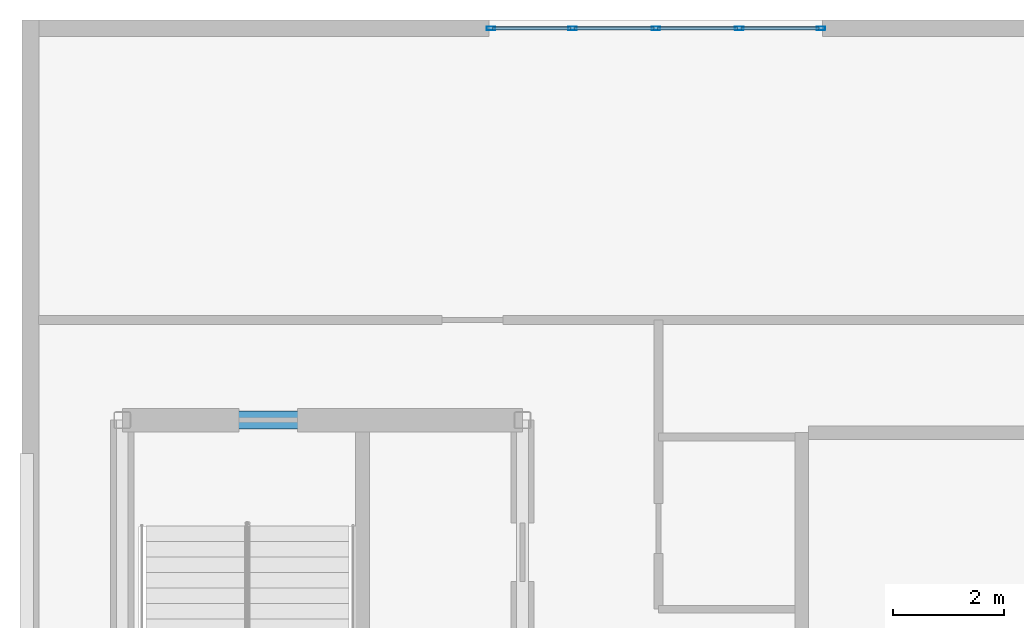
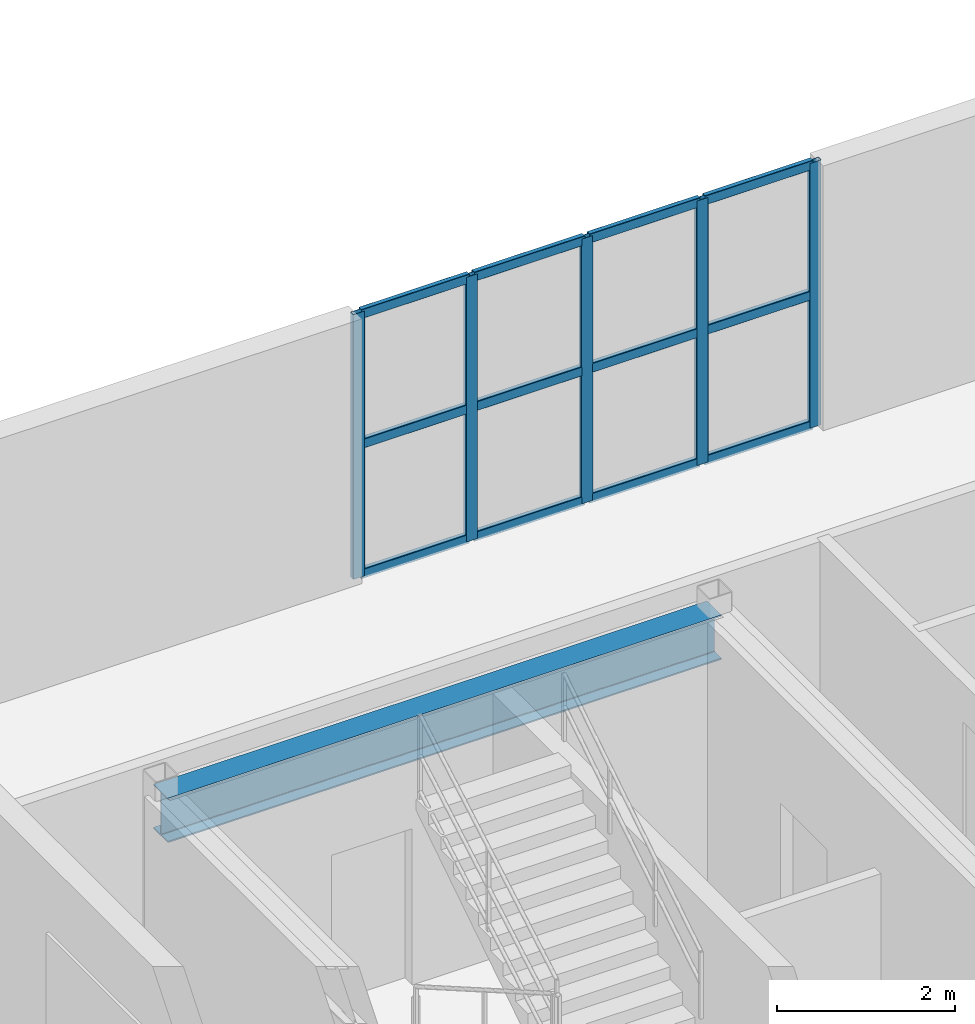
# One storey, part 3 of 7: 17 members, 1 beam, 1 element without a shape of its own.
"""IFC4 building model written with IfcOpenShell, lengths in metres."""

from ifc_helpers import new_model, entity, si_unit, converted_unit, direction, frame, origin_with_axes, origin_2d_with_axis, place, context, subcontext, project, spatial, hollow_rectangle, i_section, extrude, material, material_profile, profile_set, type_object, element, aggregate, save


model = new_model("IFC4")

# Units and contexts
model_context = context("Model", 3, precision=1e-05, world=origin_with_axes(), true_north=direction((0.0, 1.0)))
body_context = subcontext(model_context, "Body", "Model", "MODEL_VIEW")
ifc_project = project(units=[si_unit("LENGTHUNIT", "METRE"), si_unit("AREAUNIT", "SQUARE_METRE"), si_unit("VOLUMEUNIT", "CUBIC_METRE"), converted_unit("PLANEANGLEUNIT", "DEGREE", entity("IfcPlaneAngleMeasure", 0.017453292519943295), si_unit("PLANEANGLEUNIT", "RADIAN"), dimensions=[0, 0, 0, 0, 0, 0, 0]), si_unit("MASSUNIT", "GRAM", prefix="KILO"), si_unit("THERMODYNAMICTEMPERATUREUNIT", "KELVIN")], contexts=[model_context])

# Site, building, storey
site_placement = place(None, origin_with_axes())
site = spatial("IfcSite", under=ifc_project, at=site_placement, CompositionType="ELEMENT")
building_placement = place(site_placement, origin_with_axes())
building = spatial("IfcBuilding", under=site, at=building_placement, Name="Varnlund Millrace Tower", CompositionType="ELEMENT")
storey_placement = place(building_placement, frame((0.0, 0.0, 312.6), z_axis=(0.0, 0.0, 1.0), x_axis=(1.0, 0.0, 0.0)))
storey = spatial("IfcBuildingStorey", under=building, at=storey_placement, Name="L77", CompositionType="ELEMENT", Elevation=312.6)

# Curtain wall, members
ifc_material_1 = material(Name="Thermally broken architectural bronze curtain wall", Category="aluminium")
curtain_wall_type = type_object("IfcCurtainWallType", Name="Type-CW-Sys6-Observatory", PredefinedType="NOTDEFINED", material=ifc_material_1)
curtain_wall_placement = place(storey_placement, frame((18.0, 44.85, 0.0), z_axis=(0.0, 0.0, 1.0), x_axis=(1.0, 0.0, 0.0)))
curtain_wall = element("IfcCurtainWall", 1, at=curtain_wall_placement, inside=storey, type_object=curtain_wall_type, Name="Type-CW-Sys6-Observatory", PredefinedType="NOTDEFINED")
ifc_material_2 = material(Name="Architectural bronze aluminium alloy 6063-T6", Category="aluminium")
ifc_material_profile_1 = material_profile(ifc_material_2, hollow_rectangle(XDim=0.065, YDim=0.155, WallThickness=0.0045, InnerFilletRadius=0.004, OuterFilletRadius=0.009, at=origin_2d_with_axis()), Name="Architectural bronze aluminium alloy 6063-T6")
ifc_profile_set_1 = profile_set([ifc_material_profile_1], Name="Architectural bronze aluminium alloy 6063-T6")
member_type_1 = type_object("IfcMemberType", Name="Type-CW-Mullion-65X155", PredefinedType="MULLION", material=ifc_profile_set_1)
member_1_placement = place(storey_placement, frame((18.0325, 44.85, 0.0), z_axis=(0.0, 0.0, 1.0), x_axis=(0.0, 1.0, 0.0)))
member_1 = element("IfcMember", 2, at=member_1_placement, type_object=member_type_1, Name="CW-06 mullion 1", PredefinedType="MULLION", context=body_context, shape_type="SweptSolid", body=[
    extrude(hollow_rectangle(XDim=0.065, YDim=0.155, WallThickness=0.0045, InnerFilletRadius=0.004, OuterFilletRadius=0.009, at=origin_2d_with_axis()), origin_with_axes(), (0.0, 0.0, 1.0), 3.64),
])
member_2_placement = place(storey_placement, frame((19.5, 44.85, 0.0), z_axis=(0.0, 0.0, 1.0), x_axis=(0.0, 1.0, 0.0)))
member_2 = element("IfcMember", 3, at=member_2_placement, type_object=member_type_1, Name="CW-06 mullion 2", PredefinedType="MULLION", context=body_context, shape_type="SweptSolid", body=[
    extrude(hollow_rectangle(XDim=0.065, YDim=0.155, WallThickness=0.0045, InnerFilletRadius=0.004, OuterFilletRadius=0.009, at=origin_2d_with_axis()), origin_with_axes(), (0.0, 0.0, 1.0), 3.64),
])
member_3_placement = place(storey_placement, frame((21.0, 44.85, 0.0), z_axis=(0.0, 0.0, 1.0), x_axis=(0.0, 1.0, 0.0)))
member_3 = element("IfcMember", 4, at=member_3_placement, type_object=member_type_1, Name="CW-06 mullion 3", PredefinedType="MULLION", context=body_context, shape_type="SweptSolid", body=[
    extrude(hollow_rectangle(XDim=0.065, YDim=0.155, WallThickness=0.0045, InnerFilletRadius=0.004, OuterFilletRadius=0.009, at=origin_2d_with_axis()), origin_with_axes(), (0.0, 0.0, 1.0), 3.64),
])
member_4_placement = place(storey_placement, frame((22.5, 44.85, 0.0), z_axis=(0.0, 0.0, 1.0), x_axis=(0.0, 1.0, 0.0)))
member_4 = element("IfcMember", 5, at=member_4_placement, type_object=member_type_1, Name="CW-06 mullion 4", PredefinedType="MULLION", context=body_context, shape_type="SweptSolid", body=[
    extrude(hollow_rectangle(XDim=0.065, YDim=0.155, WallThickness=0.0045, InnerFilletRadius=0.004, OuterFilletRadius=0.009, at=origin_2d_with_axis()), origin_with_axes(), (0.0, 0.0, 1.0), 3.64),
])
member_5_placement = place(storey_placement, frame((23.9675, 44.85, 0.0), z_axis=(0.0, 0.0, 1.0), x_axis=(0.0, 1.0, 0.0)))
member_5 = element("IfcMember", 6, at=member_5_placement, type_object=member_type_1, Name="CW-06 mullion 5", PredefinedType="MULLION", context=body_context, shape_type="SweptSolid", body=[
    extrude(hollow_rectangle(XDim=0.065, YDim=0.155, WallThickness=0.0045, InnerFilletRadius=0.004, OuterFilletRadius=0.009, at=origin_2d_with_axis()), origin_with_axes(), (0.0, 0.0, 1.0), 3.64),
])
ifc_material_profile_2 = material_profile(ifc_material_2, hollow_rectangle(XDim=0.065, YDim=0.13, WallThickness=0.0045, InnerFilletRadius=0.004, OuterFilletRadius=0.009, at=origin_2d_with_axis()), Name="Architectural bronze aluminium alloy 6063-T6")
ifc_profile_set_2 = profile_set([ifc_material_profile_2], Name="Architectural bronze aluminium alloy 6063-T6")
member_type_2 = type_object("IfcMemberType", Name="Type-CW-Transom-65X130", PredefinedType="USERDEFINED", material=ifc_profile_set_2)
member_6_placement = place(storey_placement, frame((18.065, 44.85, 0.0325), z_axis=(1.0, 0.0, 0.0), x_axis=(0.0, 1.0, 0.0)))
member_6 = element("IfcMember", 7, at=member_6_placement, type_object=member_type_2, Name="CW-06 transom 1.1", ObjectType="TRANSOM", PredefinedType="USERDEFINED", context=body_context, shape_type="SweptSolid", body=[
    extrude(hollow_rectangle(XDim=0.065, YDim=0.13, WallThickness=0.0045, InnerFilletRadius=0.004, OuterFilletRadius=0.009, at=origin_2d_with_axis()), origin_with_axes(), (0.0, 0.0, 1.0), 1.4025),
])
member_7_placement = place(storey_placement, frame((18.065, 44.85, 1.82), z_axis=(1.0, 0.0, 0.0), x_axis=(0.0, 1.0, 0.0)))
member_7 = element("IfcMember", 8, at=member_7_placement, type_object=member_type_2, Name="CW-06 transom 1.2", ObjectType="TRANSOM", PredefinedType="USERDEFINED", context=body_context, shape_type="SweptSolid", body=[
    extrude(hollow_rectangle(XDim=0.065, YDim=0.13, WallThickness=0.0045, InnerFilletRadius=0.004, OuterFilletRadius=0.009, at=origin_2d_with_axis()), origin_with_axes(), (0.0, 0.0, 1.0), 1.4025),
])
member_8_placement = place(storey_placement, frame((18.065, 44.85, 3.6075), z_axis=(1.0, 0.0, 0.0), x_axis=(0.0, 1.0, 0.0)))
member_8 = element("IfcMember", 9, at=member_8_placement, type_object=member_type_2, Name="CW-06 transom 1.3", ObjectType="TRANSOM", PredefinedType="USERDEFINED", context=body_context, shape_type="SweptSolid", body=[
    extrude(hollow_rectangle(XDim=0.065, YDim=0.13, WallThickness=0.0045, InnerFilletRadius=0.004, OuterFilletRadius=0.009, at=origin_2d_with_axis()), origin_with_axes(), (0.0, 0.0, 1.0), 1.4025),
])
member_9_placement = place(storey_placement, frame((19.5325, 44.85, 0.0325), z_axis=(1.0, 0.0, 0.0), x_axis=(0.0, 1.0, 0.0)))
member_9 = element("IfcMember", 10, at=member_9_placement, type_object=member_type_2, Name="CW-06 transom 2.1", ObjectType="TRANSOM", PredefinedType="USERDEFINED", context=body_context, shape_type="SweptSolid", body=[
    extrude(hollow_rectangle(XDim=0.065, YDim=0.13, WallThickness=0.0045, InnerFilletRadius=0.004, OuterFilletRadius=0.009, at=origin_2d_with_axis()), origin_with_axes(), (0.0, 0.0, 1.0), 1.435),
])
member_10_placement = place(storey_placement, frame((19.5325, 44.85, 1.82), z_axis=(1.0, 0.0, 0.0), x_axis=(0.0, 1.0, 0.0)))
member_10 = element("IfcMember", 11, at=member_10_placement, type_object=member_type_2, Name="CW-06 transom 2.2", ObjectType="TRANSOM", PredefinedType="USERDEFINED", context=body_context, shape_type="SweptSolid", body=[
    extrude(hollow_rectangle(XDim=0.065, YDim=0.13, WallThickness=0.0045, InnerFilletRadius=0.004, OuterFilletRadius=0.009, at=origin_2d_with_axis()), origin_with_axes(), (0.0, 0.0, 1.0), 1.435),
])
member_11_placement = place(storey_placement, frame((19.5325, 44.85, 3.6075), z_axis=(1.0, 0.0, 0.0), x_axis=(0.0, 1.0, 0.0)))
member_11 = element("IfcMember", 12, at=member_11_placement, type_object=member_type_2, Name="CW-06 transom 2.3", ObjectType="TRANSOM", PredefinedType="USERDEFINED", context=body_context, shape_type="SweptSolid", body=[
    extrude(hollow_rectangle(XDim=0.065, YDim=0.13, WallThickness=0.0045, InnerFilletRadius=0.004, OuterFilletRadius=0.009, at=origin_2d_with_axis()), origin_with_axes(), (0.0, 0.0, 1.0), 1.435),
])
member_12_placement = place(storey_placement, frame((21.0325, 44.85, 0.0325), z_axis=(1.0, 0.0, 0.0), x_axis=(0.0, 1.0, 0.0)))
member_12 = element("IfcMember", 13, at=member_12_placement, type_object=member_type_2, Name="CW-06 transom 3.1", ObjectType="TRANSOM", PredefinedType="USERDEFINED", context=body_context, shape_type="SweptSolid", body=[
    extrude(hollow_rectangle(XDim=0.065, YDim=0.13, WallThickness=0.0045, InnerFilletRadius=0.004, OuterFilletRadius=0.009, at=origin_2d_with_axis()), origin_with_axes(), (0.0, 0.0, 1.0), 1.435),
])
member_13_placement = place(storey_placement, frame((21.0325, 44.85, 1.82), z_axis=(1.0, 0.0, 0.0), x_axis=(0.0, 1.0, 0.0)))
member_13 = element("IfcMember", 14, at=member_13_placement, type_object=member_type_2, Name="CW-06 transom 3.2", ObjectType="TRANSOM", PredefinedType="USERDEFINED", context=body_context, shape_type="SweptSolid", body=[
    extrude(hollow_rectangle(XDim=0.065, YDim=0.13, WallThickness=0.0045, InnerFilletRadius=0.004, OuterFilletRadius=0.009, at=origin_2d_with_axis()), origin_with_axes(), (0.0, 0.0, 1.0), 1.435),
])
member_14_placement = place(storey_placement, frame((21.0325, 44.85, 3.6075), z_axis=(1.0, 0.0, 0.0), x_axis=(0.0, 1.0, 0.0)))
member_14 = element("IfcMember", 15, at=member_14_placement, type_object=member_type_2, Name="CW-06 transom 3.3", ObjectType="TRANSOM", PredefinedType="USERDEFINED", context=body_context, shape_type="SweptSolid", body=[
    extrude(hollow_rectangle(XDim=0.065, YDim=0.13, WallThickness=0.0045, InnerFilletRadius=0.004, OuterFilletRadius=0.009, at=origin_2d_with_axis()), origin_with_axes(), (0.0, 0.0, 1.0), 1.435),
])
member_15_placement = place(storey_placement, frame((22.5325, 44.85, 0.0325), z_axis=(1.0, 0.0, 0.0), x_axis=(0.0, 1.0, 0.0)))
member_15 = element("IfcMember", 16, at=member_15_placement, type_object=member_type_2, Name="CW-06 transom 4.1", ObjectType="TRANSOM", PredefinedType="USERDEFINED", context=body_context, shape_type="SweptSolid", body=[
    extrude(hollow_rectangle(XDim=0.065, YDim=0.13, WallThickness=0.0045, InnerFilletRadius=0.004, OuterFilletRadius=0.009, at=origin_2d_with_axis()), origin_with_axes(), (0.0, 0.0, 1.0), 1.4025),
])
member_16_placement = place(storey_placement, frame((22.5325, 44.85, 1.82), z_axis=(1.0, 0.0, 0.0), x_axis=(0.0, 1.0, 0.0)))
member_16 = element("IfcMember", 17, at=member_16_placement, type_object=member_type_2, Name="CW-06 transom 4.2", ObjectType="TRANSOM", PredefinedType="USERDEFINED", context=body_context, shape_type="SweptSolid", body=[
    extrude(hollow_rectangle(XDim=0.065, YDim=0.13, WallThickness=0.0045, InnerFilletRadius=0.004, OuterFilletRadius=0.009, at=origin_2d_with_axis()), origin_with_axes(), (0.0, 0.0, 1.0), 1.4025),
])
member_17_placement = place(storey_placement, frame((22.5325, 44.85, 3.6075), z_axis=(1.0, 0.0, 0.0), x_axis=(0.0, 1.0, 0.0)))
member_17 = element("IfcMember", 18, at=member_17_placement, type_object=member_type_2, Name="CW-06 transom 4.3", ObjectType="TRANSOM", PredefinedType="USERDEFINED", context=body_context, shape_type="SweptSolid", body=[
    extrude(hollow_rectangle(XDim=0.065, YDim=0.13, WallThickness=0.0045, InnerFilletRadius=0.004, OuterFilletRadius=0.009, at=origin_2d_with_axis()), origin_with_axes(), (0.0, 0.0, 1.0), 1.4025),
])
aggregate(curtain_wall, [member_1, member_2, member_3, member_4, member_5, member_6, member_7, member_8, member_9, member_10, member_11, member_12, member_13, member_14, member_15, member_16, member_17])

# Beam
ifc_material_3 = material(Name="Steel ASTM A992 Grade 50", Category="steel")
ifc_material_profile_3 = material_profile(ifc_material_3, i_section(OverallWidth=0.324, OverallDepth=0.611, WebThickness=0.0127, FlangeThickness=0.0191, FilletRadius=0.016, at=origin_2d_with_axis()), Name="Steel ASTM A992 Grade 50")
ifc_profile_set_3 = profile_set([ifc_material_profile_3], Name="Steel ASTM A992 Grade 50")
beam_type = type_object("IfcBeamType", Name="Type-Girder-W24X104", PredefinedType="USERDEFINED", material=ifc_profile_set_3)
beam_placement = place(storey_placement, frame((11.4, 37.8, 3.3345), z_axis=(1.0, 0.0, 0.0), x_axis=(0.0, 1.0, 0.0)))
element("IfcBeam", 19, at=beam_placement, inside=storey, type_object=beam_type, Name="Type-Girder-W24X104", ObjectType="GIRDER", PredefinedType="USERDEFINED", context=body_context, shape_type="SweptSolid", body=[
    extrude(i_section(OverallWidth=0.324, OverallDepth=0.611, WebThickness=0.0127, FlangeThickness=0.0191, FilletRadius=0.016, at=origin_2d_with_axis()), origin_with_axes(), (0.0, 0.0, 1.0), 7.2),
])

save(model, "model.ifc")
